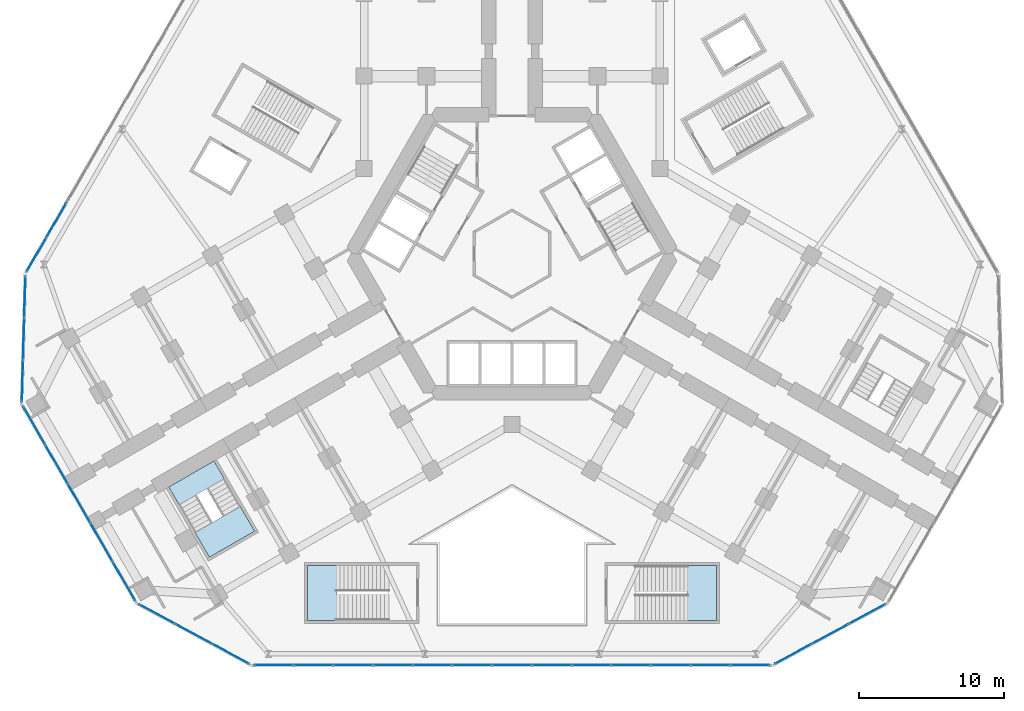
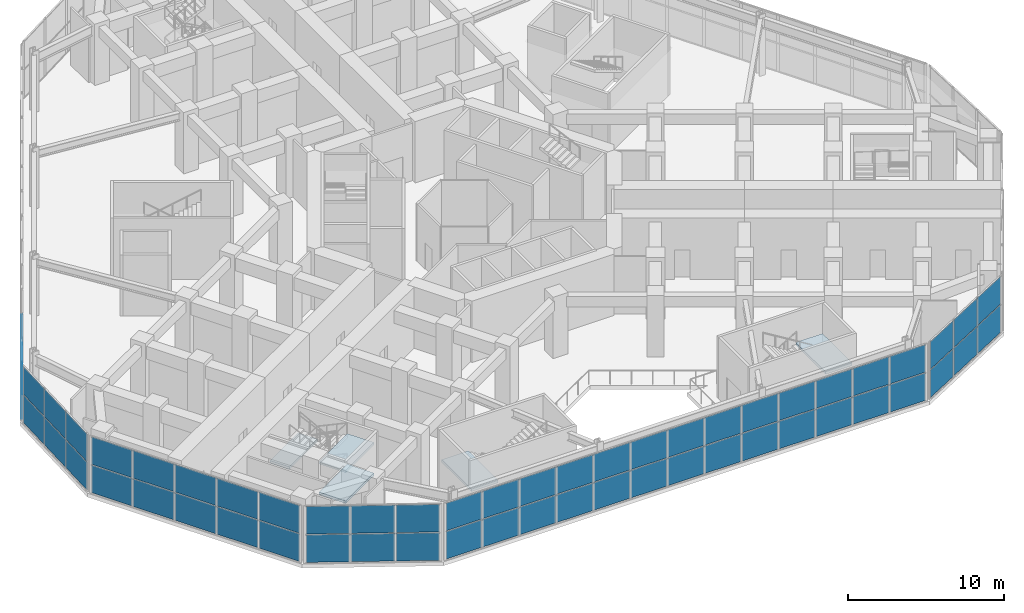
# One storey, part 12 of 22: 58 plates, 5 slabs, 9 elements without a shape of their own.
"""IFC4 building model written with IfcOpenShell, lengths in metres."""

from ifc_helpers import new_model, si_unit, direction, frame, origin, origin_2d, place, context, subcontext, project, spatial, polyline, rectangle, outline, extrude, material, layer, layer_set, type_object, element, aggregate, save


model = new_model("IFC4")

# Units and contexts
model_context = context("Model", 3, precision=1e-05, world=origin(), true_north=direction((0.0, 1.0)))
body_context = subcontext(model_context, "Body", "Model", "MODEL_VIEW")
ifc_project = project(units=[si_unit("LENGTHUNIT", "METRE"), si_unit("AREAUNIT", "SQUARE_METRE"), si_unit("VOLUMEUNIT", "CUBIC_METRE"), si_unit("PLANEANGLEUNIT", "RADIAN"), si_unit("MASSUNIT", "GRAM", prefix="KILO")], contexts=[model_context])

# Site, building, storey
site_placement = place(None, origin())
site = spatial("IfcSite", under=ifc_project, at=site_placement, CompositionType="ELEMENT")
building_placement = place(site_placement, origin())
building = spatial("IfcBuilding", under=site, at=building_placement, Name="Kosmar Iwan School Tower", CompositionType="ELEMENT")
storey_placement = place(building_placement, frame((0.0, 0.0, 10.800048828125)))
storey = spatial("IfcBuildingStorey", under=building, at=storey_placement, Name="L02", CompositionType="ELEMENT", Elevation=10.800048828125)

# Curtain wall, plates
ifc_material_1 = material(Name="Dark glass in black aluminium frame", Category="aluminium")
curtain_wall_type_1 = type_object("IfcCurtainWallType", Name="Podium curtain wall", PredefinedType="USERDEFINED", material=ifc_material_1)
curtain_wall_1_placement = place(storey_placement, origin())
curtain_wall_1 = element("IfcCurtainWall", 1, at=curtain_wall_1_placement, inside=storey, type_object=curtain_wall_type_1, Name="Curtain wall L02-F00", ObjectType="STICK CURTAIN WALL", PredefinedType="USERDEFINED")
ifc_material_2 = material(Name="Dark glass", Category="glass")
ifc_layer_1 = layer(ifc_material_2, 0.028076171875)
ifc_layer_set_1 = layer_set([ifc_layer_1], Name="Dark glass panel 28")
plate_type = type_object("IfcPlateType", Name="Dark glass panel 28", PredefinedType="CURTAIN_PANEL", material=ifc_layer_set_1)
plate_1_placement = place(storey_placement, frame((-16.431396484375, -28.375, 0.06005859375), z_axis=(0.0, 0.0, 1.0), x_axis=(1.0, 0.0, 0.0)))
plate_1 = element("IfcPlate", 2, at=plate_1_placement, type_object=plate_type, Name="CW3 panel 1.1", PredefinedType="CURTAIN_PANEL", context=body_context, shape_type="SweptSolid", body=[
    extrude(rectangle(XDim=2.643798828125, YDim=0.028076171875, at=origin_2d()), origin(), (0.0, 0.0, 1.0), 2.159912109375),
])
plate_2_placement = place(storey_placement, frame((-16.431396484375, -28.375, 2.27978515625), z_axis=(0.0, 0.0, 1.0), x_axis=(1.0, 0.0, 0.0)))
plate_2 = element("IfcPlate", 3, at=plate_2_placement, type_object=plate_type, Name="CW3 panel 1.2", PredefinedType="CURTAIN_PANEL", context=body_context, shape_type="SweptSolid", body=[
    extrude(rectangle(XDim=2.643798828125, YDim=0.028076171875, at=origin_2d()), origin(), (0.0, 0.0, 1.0), 2.159912109375),
])
plate_3_placement = place(storey_placement, frame((-13.70654296875, -28.375, 0.06005859375), z_axis=(0.0, 0.0, 1.0), x_axis=(1.0, 0.0, 0.0)))
plate_3 = element("IfcPlate", 4, at=plate_3_placement, type_object=plate_type, Name="CW3 panel 2.1", PredefinedType="CURTAIN_PANEL", context=body_context, shape_type="SweptSolid", body=[
    extrude(rectangle(XDim=2.67626953125, YDim=0.028076171875, at=origin_2d()), origin(), (0.0, 0.0, 1.0), 2.159912109375),
])
plate_4_placement = place(storey_placement, frame((-13.70654296875, -28.375, 2.27978515625), z_axis=(0.0, 0.0, 1.0), x_axis=(1.0, 0.0, 0.0)))
plate_4 = element("IfcPlate", 5, at=plate_4_placement, type_object=plate_type, Name="CW3 panel 2.2", PredefinedType="CURTAIN_PANEL", context=body_context, shape_type="SweptSolid", body=[
    extrude(rectangle(XDim=2.67626953125, YDim=0.028076171875, at=origin_2d()), origin(), (0.0, 0.0, 1.0), 2.159912109375),
])
plate_5_placement = place(storey_placement, frame((-10.965087890625, -28.375, 0.06005859375), z_axis=(0.0, 0.0, 1.0), x_axis=(1.0, 0.0, 0.0)))
plate_5 = element("IfcPlate", 6, at=plate_5_placement, type_object=plate_type, Name="CW3 panel 3.1", PredefinedType="CURTAIN_PANEL", context=body_context, shape_type="SweptSolid", body=[
    extrude(rectangle(XDim=2.67626953125, YDim=0.028076171875, at=origin_2d()), origin(), (0.0, 0.0, 1.0), 2.159912109375),
])
plate_6_placement = place(storey_placement, frame((-10.965087890625, -28.375, 2.27978515625), z_axis=(0.0, 0.0, 1.0), x_axis=(1.0, 0.0, 0.0)))
plate_6 = element("IfcPlate", 7, at=plate_6_placement, type_object=plate_type, Name="CW3 panel 3.2", PredefinedType="CURTAIN_PANEL", context=body_context, shape_type="SweptSolid", body=[
    extrude(rectangle(XDim=2.67626953125, YDim=0.028076171875, at=origin_2d()), origin(), (0.0, 0.0, 1.0), 2.159912109375),
])
plate_7_placement = place(storey_placement, frame((-8.223876953125, -28.375, 0.06005859375), z_axis=(0.0, 0.0, 1.0), x_axis=(1.0, 0.0, 0.0)))
plate_7 = element("IfcPlate", 8, at=plate_7_placement, type_object=plate_type, Name="CW3 panel 4.1", PredefinedType="CURTAIN_PANEL", context=body_context, shape_type="SweptSolid", body=[
    extrude(rectangle(XDim=2.67626953125, YDim=0.028076171875, at=origin_2d()), origin(), (0.0, 0.0, 1.0), 2.159912109375),
])
plate_8_placement = place(storey_placement, frame((-8.223876953125, -28.375, 2.27978515625), z_axis=(0.0, 0.0, 1.0), x_axis=(1.0, 0.0, 0.0)))
plate_8 = element("IfcPlate", 9, at=plate_8_placement, type_object=plate_type, Name="CW3 panel 4.2", PredefinedType="CURTAIN_PANEL", context=body_context, shape_type="SweptSolid", body=[
    extrude(rectangle(XDim=2.67626953125, YDim=0.028076171875, at=origin_2d()), origin(), (0.0, 0.0, 1.0), 2.159912109375),
])
plate_9_placement = place(storey_placement, frame((-5.482666015625, -28.375, 0.06005859375), z_axis=(0.0, 0.0, 1.0), x_axis=(1.0, 0.0, 0.0)))
plate_9 = element("IfcPlate", 10, at=plate_9_placement, type_object=plate_type, Name="CW3 panel 5.1", PredefinedType="CURTAIN_PANEL", context=body_context, shape_type="SweptSolid", body=[
    extrude(rectangle(XDim=2.67626953125, YDim=0.028076171875, at=origin_2d()), origin(), (0.0, 0.0, 1.0), 2.159912109375),
])
plate_10_placement = place(storey_placement, frame((-5.482666015625, -28.375, 2.27978515625), z_axis=(0.0, 0.0, 1.0), x_axis=(1.0, 0.0, 0.0)))
plate_10 = element("IfcPlate", 11, at=plate_10_placement, type_object=plate_type, Name="CW3 panel 5.2", PredefinedType="CURTAIN_PANEL", context=body_context, shape_type="SweptSolid", body=[
    extrude(rectangle(XDim=2.67626953125, YDim=0.028076171875, at=origin_2d()), origin(), (0.0, 0.0, 1.0), 2.159912109375),
])
plate_11_placement = place(storey_placement, frame((-2.7412109375, -28.375, 0.06005859375), z_axis=(0.0, 0.0, 1.0), x_axis=(1.0, 0.0, 0.0)))
plate_11 = element("IfcPlate", 12, at=plate_11_placement, type_object=plate_type, Name="CW3 panel 6.1", PredefinedType="CURTAIN_PANEL", context=body_context, shape_type="SweptSolid", body=[
    extrude(rectangle(XDim=2.67626953125, YDim=0.028076171875, at=origin_2d()), origin(), (0.0, 0.0, 1.0), 2.159912109375),
])
plate_12_placement = place(storey_placement, frame((-2.7412109375, -28.375, 2.27978515625), z_axis=(0.0, 0.0, 1.0), x_axis=(1.0, 0.0, 0.0)))
plate_12 = element("IfcPlate", 13, at=plate_12_placement, type_object=plate_type, Name="CW3 panel 6.2", PredefinedType="CURTAIN_PANEL", context=body_context, shape_type="SweptSolid", body=[
    extrude(rectangle(XDim=2.67626953125, YDim=0.028076171875, at=origin_2d()), origin(), (0.0, 0.0, 1.0), 2.159912109375),
])
plate_13_placement = place(storey_placement, frame((0.0, -28.375, 0.06005859375), z_axis=(0.0, 0.0, 1.0), x_axis=(1.0, 0.0, 0.0)))
plate_13 = element("IfcPlate", 14, at=plate_13_placement, type_object=plate_type, Name="CW3 panel 7.1", PredefinedType="CURTAIN_PANEL", context=body_context, shape_type="SweptSolid", body=[
    extrude(rectangle(XDim=2.67626953125, YDim=0.028076171875, at=origin_2d()), origin(), (0.0, 0.0, 1.0), 2.159912109375),
])
plate_14_placement = place(storey_placement, frame((0.0, -28.375, 2.27978515625), z_axis=(0.0, 0.0, 1.0), x_axis=(1.0, 0.0, 0.0)))
plate_14 = element("IfcPlate", 15, at=plate_14_placement, type_object=plate_type, Name="CW3 panel 7.2", PredefinedType="CURTAIN_PANEL", context=body_context, shape_type="SweptSolid", body=[
    extrude(rectangle(XDim=2.67626953125, YDim=0.028076171875, at=origin_2d()), origin(), (0.0, 0.0, 1.0), 2.159912109375),
])
plate_15_placement = place(storey_placement, frame((2.7412109375, -28.375, 0.06005859375), z_axis=(0.0, 0.0, 1.0), x_axis=(1.0, 0.0, 0.0)))
plate_15 = element("IfcPlate", 16, at=plate_15_placement, type_object=plate_type, Name="CW3 panel 8.1", PredefinedType="CURTAIN_PANEL", context=body_context, shape_type="SweptSolid", body=[
    extrude(rectangle(XDim=2.67626953125, YDim=0.028076171875, at=origin_2d()), origin(), (0.0, 0.0, 1.0), 2.159912109375),
])
plate_16_placement = place(storey_placement, frame((2.7412109375, -28.375, 2.27978515625), z_axis=(0.0, 0.0, 1.0), x_axis=(1.0, 0.0, 0.0)))
plate_16 = element("IfcPlate", 17, at=plate_16_placement, type_object=plate_type, Name="CW3 panel 8.2", PredefinedType="CURTAIN_PANEL", context=body_context, shape_type="SweptSolid", body=[
    extrude(rectangle(XDim=2.67626953125, YDim=0.028076171875, at=origin_2d()), origin(), (0.0, 0.0, 1.0), 2.159912109375),
])
plate_17_placement = place(storey_placement, frame((5.482666015625, -28.375, 0.06005859375), z_axis=(0.0, 0.0, 1.0), x_axis=(1.0, 0.0, 0.0)))
plate_17 = element("IfcPlate", 18, at=plate_17_placement, type_object=plate_type, Name="CW3 panel 9.1", PredefinedType="CURTAIN_PANEL", context=body_context, shape_type="SweptSolid", body=[
    extrude(rectangle(XDim=2.67626953125, YDim=0.028076171875, at=origin_2d()), origin(), (0.0, 0.0, 1.0), 2.159912109375),
])
plate_18_placement = place(storey_placement, frame((5.482666015625, -28.375, 2.27978515625), z_axis=(0.0, 0.0, 1.0), x_axis=(1.0, 0.0, 0.0)))
plate_18 = element("IfcPlate", 19, at=plate_18_placement, type_object=plate_type, Name="CW3 panel 9.2", PredefinedType="CURTAIN_PANEL", context=body_context, shape_type="SweptSolid", body=[
    extrude(rectangle(XDim=2.67626953125, YDim=0.028076171875, at=origin_2d()), origin(), (0.0, 0.0, 1.0), 2.159912109375),
])
plate_19_placement = place(storey_placement, frame((8.223876953125, -28.375, 0.06005859375), z_axis=(0.0, 0.0, 1.0), x_axis=(1.0, 0.0, 0.0)))
plate_19 = element("IfcPlate", 20, at=plate_19_placement, type_object=plate_type, Name="CW3 panel 10.1", PredefinedType="CURTAIN_PANEL", context=body_context, shape_type="SweptSolid", body=[
    extrude(rectangle(XDim=2.67626953125, YDim=0.028076171875, at=origin_2d()), origin(), (0.0, 0.0, 1.0), 2.159912109375),
])
plate_20_placement = place(storey_placement, frame((8.223876953125, -28.375, 2.27978515625), z_axis=(0.0, 0.0, 1.0), x_axis=(1.0, 0.0, 0.0)))
plate_20 = element("IfcPlate", 21, at=plate_20_placement, type_object=plate_type, Name="CW3 panel 10.2", PredefinedType="CURTAIN_PANEL", context=body_context, shape_type="SweptSolid", body=[
    extrude(rectangle(XDim=2.67626953125, YDim=0.028076171875, at=origin_2d()), origin(), (0.0, 0.0, 1.0), 2.159912109375),
])
plate_21_placement = place(storey_placement, frame((10.965087890625, -28.375, 0.06005859375), z_axis=(0.0, 0.0, 1.0), x_axis=(1.0, 0.0, 0.0)))
plate_21 = element("IfcPlate", 22, at=plate_21_placement, type_object=plate_type, Name="CW3 panel 11.1", PredefinedType="CURTAIN_PANEL", context=body_context, shape_type="SweptSolid", body=[
    extrude(rectangle(XDim=2.67626953125, YDim=0.028076171875, at=origin_2d()), origin(), (0.0, 0.0, 1.0), 2.159912109375),
])
plate_22_placement = place(storey_placement, frame((10.965087890625, -28.375, 2.27978515625), z_axis=(0.0, 0.0, 1.0), x_axis=(1.0, 0.0, 0.0)))
plate_22 = element("IfcPlate", 23, at=plate_22_placement, type_object=plate_type, Name="CW3 panel 11.2", PredefinedType="CURTAIN_PANEL", context=body_context, shape_type="SweptSolid", body=[
    extrude(rectangle(XDim=2.67626953125, YDim=0.028076171875, at=origin_2d()), origin(), (0.0, 0.0, 1.0), 2.159912109375),
])
plate_23_placement = place(storey_placement, frame((13.70654296875, -28.375, 0.06005859375), z_axis=(0.0, 0.0, 1.0), x_axis=(1.0, 0.0, 0.0)))
plate_23 = element("IfcPlate", 24, at=plate_23_placement, type_object=plate_type, Name="CW3 panel 12.1", PredefinedType="CURTAIN_PANEL", context=body_context, shape_type="SweptSolid", body=[
    extrude(rectangle(XDim=2.67626953125, YDim=0.028076171875, at=origin_2d()), origin(), (0.0, 0.0, 1.0), 2.159912109375),
])
plate_24_placement = place(storey_placement, frame((13.70654296875, -28.375, 2.27978515625), z_axis=(0.0, 0.0, 1.0), x_axis=(1.0, 0.0, 0.0)))
plate_24 = element("IfcPlate", 25, at=plate_24_placement, type_object=plate_type, Name="CW3 panel 12.2", PredefinedType="CURTAIN_PANEL", context=body_context, shape_type="SweptSolid", body=[
    extrude(rectangle(XDim=2.67626953125, YDim=0.028076171875, at=origin_2d()), origin(), (0.0, 0.0, 1.0), 2.159912109375),
])
plate_25_placement = place(storey_placement, frame((16.431396484375, -28.375, 0.06005859375), z_axis=(0.0, 0.0, 1.0), x_axis=(1.0, 0.0, 0.0)))
plate_25 = element("IfcPlate", 26, at=plate_25_placement, type_object=plate_type, Name="CW3 panel 13.1", PredefinedType="CURTAIN_PANEL", context=body_context, shape_type="SweptSolid", body=[
    extrude(rectangle(XDim=2.643798828125, YDim=0.028076171875, at=origin_2d()), origin(), (0.0, 0.0, 1.0), 2.159912109375),
])
plate_26_placement = place(storey_placement, frame((16.431396484375, -28.375, 2.27978515625), z_axis=(0.0, 0.0, 1.0), x_axis=(1.0, 0.0, 0.0)))
plate_26 = element("IfcPlate", 27, at=plate_26_placement, type_object=plate_type, Name="CW3 panel 13.2", PredefinedType="CURTAIN_PANEL", context=body_context, shape_type="SweptSolid", body=[
    extrude(rectangle(XDim=2.643798828125, YDim=0.028076171875, at=origin_2d()), origin(), (0.0, 0.0, 1.0), 2.159912109375),
])
aggregate(curtain_wall_1, [plate_1, plate_2, plate_3, plate_4, plate_5, plate_6, plate_7, plate_8, plate_9, plate_10, plate_11, plate_12, plate_13, plate_14, plate_15, plate_16, plate_17, plate_18, plate_19, plate_20, plate_21, plate_22, plate_23, plate_24, plate_25, plate_26])

curtain_wall_2_placement = place(storey_placement, origin())
curtain_wall_2 = element("IfcCurtainWall", 28, at=curtain_wall_2_placement, inside=storey, type_object=curtain_wall_type_1, Name="Curtain wall L02-F01", ObjectType="STICK CURTAIN WALL", PredefinedType="USERDEFINED")
plate_27_placement = place(storey_placement, frame((19.392333984375, -27.60595703125, 0.06005859375), z_axis=(0.0, 0.0, 1.0), x_axis=(0.879869486941, 0.475215410051, 0.0)))
plate_27 = element("IfcPlate", 29, at=plate_27_placement, type_object=plate_type, Name="CW3 panel 1.1", PredefinedType="CURTAIN_PANEL", context=body_context, shape_type="SweptSolid", body=[
    extrude(rectangle(XDim=2.806884765625, YDim=0.028076171875, at=origin_2d()), origin(), (0.0, 0.0, 1.0), 2.159912109375),
])
plate_28_placement = place(storey_placement, frame((19.392333984375, -27.60595703125, 2.27978515625), z_axis=(0.0, 0.0, 1.0), x_axis=(0.879869486941, 0.475215410051, 0.0)))
plate_28 = element("IfcPlate", 30, at=plate_28_placement, type_object=plate_type, Name="CW3 panel 1.2", PredefinedType="CURTAIN_PANEL", context=body_context, shape_type="SweptSolid", body=[
    extrude(rectangle(XDim=2.806884765625, YDim=0.028076171875, at=origin_2d()), origin(), (0.0, 0.0, 1.0), 2.159912109375),
])
plate_29_placement = place(storey_placement, frame((21.93359375, -26.2333984375, 0.06005859375), z_axis=(0.0, 0.0, 1.0), x_axis=(0.879869486941, 0.475215410051, 0.0)))
plate_29 = element("IfcPlate", 31, at=plate_29_placement, type_object=plate_type, Name="CW3 panel 2.1", PredefinedType="CURTAIN_PANEL", context=body_context, shape_type="SweptSolid", body=[
    extrude(rectangle(XDim=2.83935546875, YDim=0.028076171875, at=origin_2d()), origin(), (0.0, 0.0, 1.0), 2.159912109375),
])
plate_30_placement = place(storey_placement, frame((21.93359375, -26.2333984375, 2.27978515625), z_axis=(0.0, 0.0, 1.0), x_axis=(0.879869486941, 0.475215410051, 0.0)))
plate_30 = element("IfcPlate", 32, at=plate_30_placement, type_object=plate_type, Name="CW3 panel 2.2", PredefinedType="CURTAIN_PANEL", context=body_context, shape_type="SweptSolid", body=[
    extrude(rectangle(XDim=2.83935546875, YDim=0.028076171875, at=origin_2d()), origin(), (0.0, 0.0, 1.0), 2.159912109375),
])
plate_31_placement = place(storey_placement, frame((24.474853515625, -24.86083984375, 0.06005859375), z_axis=(0.0, 0.0, 1.0), x_axis=(0.879869486941, 0.475215410051, 0.0)))
plate_31 = element("IfcPlate", 33, at=plate_31_placement, type_object=plate_type, Name="CW3 panel 3.1", PredefinedType="CURTAIN_PANEL", context=body_context, shape_type="SweptSolid", body=[
    extrude(rectangle(XDim=2.806884765625, YDim=0.028076171875, at=origin_2d()), origin(), (0.0, 0.0, 1.0), 2.159912109375),
])
plate_32_placement = place(storey_placement, frame((24.474853515625, -24.86083984375, 2.27978515625), z_axis=(0.0, 0.0, 1.0), x_axis=(0.879869486941, 0.475215410051, 0.0)))
plate_32 = element("IfcPlate", 34, at=plate_32_placement, type_object=plate_type, Name="CW3 panel 3.2", PredefinedType="CURTAIN_PANEL", context=body_context, shape_type="SweptSolid", body=[
    extrude(rectangle(XDim=2.806884765625, YDim=0.028076171875, at=origin_2d()), origin(), (0.0, 0.0, 1.0), 2.159912109375),
])
aggregate(curtain_wall_2, [plate_27, plate_28, plate_29, plate_30, plate_31, plate_32])

curtain_wall_3_placement = place(storey_placement, origin())
curtain_wall_3 = element("IfcCurtainWall", 35, at=curtain_wall_3_placement, inside=storey, type_object=curtain_wall_type_1, Name="Curtain wall L02-F08", ObjectType="STICK CURTAIN WALL", PredefinedType="USERDEFINED")
plate_33_placement = place(storey_placement, frame((-31.4267578125, 2.3173828125, 0.06005859375), z_axis=(0.0, 0.0, 1.0), x_axis=(-0.50000002237, -0.866025390869, 0.0)))
plate_33 = element("IfcPlate", 36, at=plate_33_placement, type_object=plate_type, Name="CW3 panel 12.1", PredefinedType="CURTAIN_PANEL", context=body_context, shape_type="SweptSolid", body=[
    extrude(rectangle(XDim=2.67626953125, YDim=0.028076171875, at=origin_2d()), origin(), (0.0, 0.0, 1.0), 2.159912109375),
])
plate_34_placement = place(storey_placement, frame((-31.4267578125, 2.3173828125, 2.27978515625), z_axis=(0.0, 0.0, 1.0), x_axis=(-0.50000002237, -0.866025390869, 0.0)))
plate_34 = element("IfcPlate", 37, at=plate_34_placement, type_object=plate_type, Name="CW3 panel 12.2", PredefinedType="CURTAIN_PANEL", context=body_context, shape_type="SweptSolid", body=[
    extrude(rectangle(XDim=2.67626953125, YDim=0.028076171875, at=origin_2d()), origin(), (0.0, 0.0, 1.0), 2.159912109375),
])
plate_35_placement = place(storey_placement, frame((-32.789306640625, -0.04248046875, 0.06005859375), z_axis=(0.0, 0.0, 1.0), x_axis=(-0.50000002237, -0.866025390869, 0.0)))
plate_35 = element("IfcPlate", 38, at=plate_35_placement, type_object=plate_type, Name="CW3 panel 13.1", PredefinedType="CURTAIN_PANEL", context=body_context, shape_type="SweptSolid", body=[
    extrude(rectangle(XDim=2.643798828125, YDim=0.028076171875, at=origin_2d()), origin(), (0.0, 0.0, 1.0), 2.159912109375),
])
plate_36_placement = place(storey_placement, frame((-32.789306640625, -0.04248046875, 2.27978515625), z_axis=(0.0, 0.0, 1.0), x_axis=(-0.50000002237, -0.866025390869, 0.0)))
plate_36 = element("IfcPlate", 39, at=plate_36_placement, type_object=plate_type, Name="CW3 panel 13.2", PredefinedType="CURTAIN_PANEL", context=body_context, shape_type="SweptSolid", body=[
    extrude(rectangle(XDim=2.643798828125, YDim=0.028076171875, at=origin_2d()), origin(), (0.0, 0.0, 1.0), 2.159912109375),
])
aggregate(curtain_wall_3, [plate_33, plate_34, plate_35, plate_36])

curtain_wall_4_placement = place(storey_placement, origin())
curtain_wall_4 = element("IfcCurtainWall", 40, at=curtain_wall_4_placement, inside=storey, type_object=curtain_wall_type_1, Name="Curtain wall L02-F09", ObjectType="STICK CURTAIN WALL", PredefinedType="USERDEFINED")
plate_37_placement = place(storey_placement, frame((-33.603515625, -2.991455078125, 0.06005859375), z_axis=(0.0, 0.0, 1.0), x_axis=(-0.028386151255, -0.999597032017, 0.0)))
plate_37 = element("IfcPlate", 41, at=plate_37_placement, type_object=plate_type, Name="CW3 panel 1.1", PredefinedType="CURTAIN_PANEL", context=body_context, shape_type="SweptSolid", body=[
    extrude(rectangle(XDim=2.806884765625, YDim=0.028076171875, at=origin_2d()), origin(), (0.0, 0.0, 1.0), 2.159912109375),
])
plate_38_placement = place(storey_placement, frame((-33.603515625, -2.991455078125, 2.27978515625), z_axis=(0.0, 0.0, 1.0), x_axis=(-0.028386151255, -0.999597032017, 0.0)))
plate_38 = element("IfcPlate", 42, at=plate_38_placement, type_object=plate_type, Name="CW3 panel 1.2", PredefinedType="CURTAIN_PANEL", context=body_context, shape_type="SweptSolid", body=[
    extrude(rectangle(XDim=2.806884765625, YDim=0.028076171875, at=origin_2d()), origin(), (0.0, 0.0, 1.0), 2.159912109375),
])
plate_39_placement = place(storey_placement, frame((-33.685546875, -5.87841796875, 0.06005859375), z_axis=(0.0, 0.0, 1.0), x_axis=(-0.028386151255, -0.999597032017, 0.0)))
plate_39 = element("IfcPlate", 43, at=plate_39_placement, type_object=plate_type, Name="CW3 panel 2.1", PredefinedType="CURTAIN_PANEL", context=body_context, shape_type="SweptSolid", body=[
    extrude(rectangle(XDim=2.83935546875, YDim=0.028076171875, at=origin_2d()), origin(), (0.0, 0.0, 1.0), 2.159912109375),
])
plate_40_placement = place(storey_placement, frame((-33.685546875, -5.87841796875, 2.27978515625), z_axis=(0.0, 0.0, 1.0), x_axis=(-0.028386151255, -0.999597032017, 0.0)))
plate_40 = element("IfcPlate", 44, at=plate_40_placement, type_object=plate_type, Name="CW3 panel 2.2", PredefinedType="CURTAIN_PANEL", context=body_context, shape_type="SweptSolid", body=[
    extrude(rectangle(XDim=2.83935546875, YDim=0.028076171875, at=origin_2d()), origin(), (0.0, 0.0, 1.0), 2.159912109375),
])
plate_41_placement = place(storey_placement, frame((-33.767578125, -8.765380859375, 0.06005859375), z_axis=(0.0, 0.0, 1.0), x_axis=(-0.028386151255, -0.999597032017, 0.0)))
plate_41 = element("IfcPlate", 45, at=plate_41_placement, type_object=plate_type, Name="CW3 panel 3.1", PredefinedType="CURTAIN_PANEL", context=body_context, shape_type="SweptSolid", body=[
    extrude(rectangle(XDim=2.806884765625, YDim=0.028076171875, at=origin_2d()), origin(), (0.0, 0.0, 1.0), 2.159912109375),
])
plate_42_placement = place(storey_placement, frame((-33.767578125, -8.765380859375, 2.27978515625), z_axis=(0.0, 0.0, 1.0), x_axis=(-0.028386151255, -0.999597032017, 0.0)))
plate_42 = element("IfcPlate", 46, at=plate_42_placement, type_object=plate_type, Name="CW3 panel 3.2", PredefinedType="CURTAIN_PANEL", context=body_context, shape_type="SweptSolid", body=[
    extrude(rectangle(XDim=2.806884765625, YDim=0.028076171875, at=origin_2d()), origin(), (0.0, 0.0, 1.0), 2.159912109375),
])
aggregate(curtain_wall_4, [plate_37, plate_38, plate_39, plate_40, plate_41, plate_42])

ifc_material_3 = material(Name="Dark glass in black aluminium frame", Category="aluminium")
curtain_wall_type_2 = type_object("IfcCurtainWallType", Name="Tower curtain wall dark glass", PredefinedType="USERDEFINED", material=ifc_material_3)
curtain_wall_5_placement = place(storey_placement, origin())
curtain_wall_5 = element("IfcCurtainWall", 47, at=curtain_wall_5_placement, inside=storey, type_object=curtain_wall_type_2, Name="Curtain wall L02-F10", ObjectType="UNITISED CURTAIN WALL", PredefinedType="USERDEFINED")
plate_43_placement = place(storey_placement, frame((-32.953857421875, -11.8720703125, 0.06005859375), z_axis=(0.0, 0.0, 1.0), x_axis=(0.500000014057, -0.866025395669, 0.0)))
plate_43 = element("IfcPlate", 48, at=plate_43_placement, type_object=plate_type, Name="CW1 panel 1.1", PredefinedType="CURTAIN_PANEL", context=body_context, shape_type="SweptSolid", body=[
    extrude(rectangle(XDim=3.00830078125, YDim=0.028076171875, at=origin_2d()), origin(), (0.0, 0.0, 1.0), 2.159912109375),
])
plate_44_placement = place(storey_placement, frame((-32.953857421875, -11.8720703125, 2.27978515625), z_axis=(0.0, 0.0, 1.0), x_axis=(0.500000014057, -0.866025395669, 0.0)))
plate_44 = element("IfcPlate", 49, at=plate_44_placement, type_object=plate_type, Name="CW1 panel 1.2", PredefinedType="CURTAIN_PANEL", context=body_context, shape_type="SweptSolid", body=[
    extrude(rectangle(XDim=3.00830078125, YDim=0.028076171875, at=origin_2d()), origin(), (0.0, 0.0, 1.0), 2.159912109375),
])
plate_45_placement = place(storey_placement, frame((-31.4091796875, -14.5478515625, 0.06005859375), z_axis=(0.0, 0.0, 1.0), x_axis=(0.500000014057, -0.866025395669, 0.0)))
plate_45 = element("IfcPlate", 50, at=plate_45_placement, type_object=plate_type, Name="CW1 panel 2.1", PredefinedType="CURTAIN_PANEL", context=body_context, shape_type="SweptSolid", body=[
    extrude(rectangle(XDim=3.040771484375, YDim=0.028076171875, at=origin_2d()), origin(), (0.0, 0.0, 1.0), 2.159912109375),
])
plate_46_placement = place(storey_placement, frame((-31.4091796875, -14.5478515625, 2.27978515625), z_axis=(0.0, 0.0, 1.0), x_axis=(0.500000014057, -0.866025395669, 0.0)))
plate_46 = element("IfcPlate", 51, at=plate_46_placement, type_object=plate_type, Name="CW1 panel 2.2", PredefinedType="CURTAIN_PANEL", context=body_context, shape_type="SweptSolid", body=[
    extrude(rectangle(XDim=3.040771484375, YDim=0.028076171875, at=origin_2d()), origin(), (0.0, 0.0, 1.0), 2.159912109375),
])
plate_47_placement = place(storey_placement, frame((-29.856201171875, -17.237548828125, 0.06005859375), z_axis=(0.0, 0.0, 1.0), x_axis=(0.500000014057, -0.866025395669, 0.0)))
plate_47 = element("IfcPlate", 52, at=plate_47_placement, type_object=plate_type, Name="CW1 panel 3.1", PredefinedType="CURTAIN_PANEL", context=body_context, shape_type="SweptSolid", body=[
    extrude(rectangle(XDim=3.040771484375, YDim=0.028076171875, at=origin_2d()), origin(), (0.0, 0.0, 1.0), 2.159912109375),
])
plate_48_placement = place(storey_placement, frame((-29.856201171875, -17.237548828125, 2.27978515625), z_axis=(0.0, 0.0, 1.0), x_axis=(0.500000014057, -0.866025395669, 0.0)))
plate_48 = element("IfcPlate", 53, at=plate_48_placement, type_object=plate_type, Name="CW1 panel 3.2", PredefinedType="CURTAIN_PANEL", context=body_context, shape_type="SweptSolid", body=[
    extrude(rectangle(XDim=3.040771484375, YDim=0.028076171875, at=origin_2d()), origin(), (0.0, 0.0, 1.0), 2.159912109375),
])
plate_49_placement = place(storey_placement, frame((-28.30322265625, -19.92724609375, 0.06005859375), z_axis=(0.0, 0.0, 1.0), x_axis=(0.500000014057, -0.866025395669, 0.0)))
plate_49 = element("IfcPlate", 54, at=plate_49_placement, type_object=plate_type, Name="CW1 panel 4.1", PredefinedType="CURTAIN_PANEL", context=body_context, shape_type="SweptSolid", body=[
    extrude(rectangle(XDim=3.040771484375, YDim=0.028076171875, at=origin_2d()), origin(), (0.0, 0.0, 1.0), 2.159912109375),
])
plate_50_placement = place(storey_placement, frame((-28.30322265625, -19.92724609375, 2.27978515625), z_axis=(0.0, 0.0, 1.0), x_axis=(0.500000014057, -0.866025395669, 0.0)))
plate_50 = element("IfcPlate", 55, at=plate_50_placement, type_object=plate_type, Name="CW1 panel 4.2", PredefinedType="CURTAIN_PANEL", context=body_context, shape_type="SweptSolid", body=[
    extrude(rectangle(XDim=3.040771484375, YDim=0.028076171875, at=origin_2d()), origin(), (0.0, 0.0, 1.0), 2.159912109375),
])
plate_51_placement = place(storey_placement, frame((-26.758544921875, -22.602783203125, 0.06005859375), z_axis=(0.0, 0.0, 1.0), x_axis=(0.500000014057, -0.866025395669, 0.0)))
plate_51 = element("IfcPlate", 56, at=plate_51_placement, type_object=plate_type, Name="CW1 panel 5.1", PredefinedType="CURTAIN_PANEL", context=body_context, shape_type="SweptSolid", body=[
    extrude(rectangle(XDim=3.00830078125, YDim=0.028076171875, at=origin_2d()), origin(), (0.0, 0.0, 1.0), 2.159912109375),
])
plate_52_placement = place(storey_placement, frame((-26.758544921875, -22.602783203125, 2.27978515625), z_axis=(0.0, 0.0, 1.0), x_axis=(0.500000014057, -0.866025395669, 0.0)))
plate_52 = element("IfcPlate", 57, at=plate_52_placement, type_object=plate_type, Name="CW1 panel 5.2", PredefinedType="CURTAIN_PANEL", context=body_context, shape_type="SweptSolid", body=[
    extrude(rectangle(XDim=3.00830078125, YDim=0.028076171875, at=origin_2d()), origin(), (0.0, 0.0, 1.0), 2.159912109375),
])
aggregate(curtain_wall_5, [plate_43, plate_44, plate_45, plate_46, plate_47, plate_48, plate_49, plate_50, plate_51, plate_52])

curtain_wall_6_placement = place(storey_placement, origin())
curtain_wall_6 = element("IfcCurtainWall", 58, at=curtain_wall_6_placement, inside=storey, type_object=curtain_wall_type_1, Name="Curtain wall L02-F11", ObjectType="STICK CURTAIN WALL", PredefinedType="USERDEFINED")
plate_53_placement = place(storey_placement, frame((-24.474853515625, -24.86083984375, 0.06005859375), z_axis=(0.0, 0.0, 1.0), x_axis=(0.879869486941, -0.475215410051, 0.0)))
plate_53 = element("IfcPlate", 59, at=plate_53_placement, type_object=plate_type, Name="CW3 panel 1.1", PredefinedType="CURTAIN_PANEL", context=body_context, shape_type="SweptSolid", body=[
    extrude(rectangle(XDim=2.806884765625, YDim=0.028076171875, at=origin_2d()), origin(), (0.0, 0.0, 1.0), 2.159912109375),
])
plate_54_placement = place(storey_placement, frame((-24.474853515625, -24.86083984375, 2.27978515625), z_axis=(0.0, 0.0, 1.0), x_axis=(0.879869486941, -0.475215410051, 0.0)))
plate_54 = element("IfcPlate", 60, at=plate_54_placement, type_object=plate_type, Name="CW3 panel 1.2", PredefinedType="CURTAIN_PANEL", context=body_context, shape_type="SweptSolid", body=[
    extrude(rectangle(XDim=2.806884765625, YDim=0.028076171875, at=origin_2d()), origin(), (0.0, 0.0, 1.0), 2.159912109375),
])
plate_55_placement = place(storey_placement, frame((-21.93359375, -26.2333984375, 0.06005859375), z_axis=(0.0, 0.0, 1.0), x_axis=(0.879869486941, -0.475215410051, 0.0)))
plate_55 = element("IfcPlate", 61, at=plate_55_placement, type_object=plate_type, Name="CW3 panel 2.1", PredefinedType="CURTAIN_PANEL", context=body_context, shape_type="SweptSolid", body=[
    extrude(rectangle(XDim=2.83935546875, YDim=0.028076171875, at=origin_2d()), origin(), (0.0, 0.0, 1.0), 2.159912109375),
])
plate_56_placement = place(storey_placement, frame((-21.93359375, -26.2333984375, 2.27978515625), z_axis=(0.0, 0.0, 1.0), x_axis=(0.879869486941, -0.475215410051, 0.0)))
plate_56 = element("IfcPlate", 62, at=plate_56_placement, type_object=plate_type, Name="CW3 panel 2.2", PredefinedType="CURTAIN_PANEL", context=body_context, shape_type="SweptSolid", body=[
    extrude(rectangle(XDim=2.83935546875, YDim=0.028076171875, at=origin_2d()), origin(), (0.0, 0.0, 1.0), 2.159912109375),
])
plate_57_placement = place(storey_placement, frame((-19.392333984375, -27.60595703125, 0.06005859375), z_axis=(0.0, 0.0, 1.0), x_axis=(0.879869486941, -0.475215410051, 0.0)))
plate_57 = element("IfcPlate", 63, at=plate_57_placement, type_object=plate_type, Name="CW3 panel 3.1", PredefinedType="CURTAIN_PANEL", context=body_context, shape_type="SweptSolid", body=[
    extrude(rectangle(XDim=2.806884765625, YDim=0.028076171875, at=origin_2d()), origin(), (0.0, 0.0, 1.0), 2.159912109375),
])
plate_58_placement = place(storey_placement, frame((-19.392333984375, -27.60595703125, 2.27978515625), z_axis=(0.0, 0.0, 1.0), x_axis=(0.879869486941, -0.475215410051, 0.0)))
plate_58 = element("IfcPlate", 64, at=plate_58_placement, type_object=plate_type, Name="CW3 panel 3.2", PredefinedType="CURTAIN_PANEL", context=body_context, shape_type="SweptSolid", body=[
    extrude(rectangle(XDim=2.806884765625, YDim=0.028076171875, at=origin_2d()), origin(), (0.0, 0.0, 1.0), 2.159912109375),
])
aggregate(curtain_wall_6, [plate_53, plate_54, plate_55, plate_56, plate_57, plate_58])

# Stair, slabs
ifc_material_4 = material(Name="Concrete C35/45", Category="concrete")
stair_type_1 = type_object("IfcStairType", Name="Escape stair 3600", PredefinedType="HALF_TURN_STAIR", material=ifc_material_4)
stair_1_placement = place(storey_placement, origin())
stair_1 = element("IfcStair", 65, at=stair_1_placement, inside=storey, type_object=stair_type_1, Name="Stair WS2 L02", PredefinedType="HALF_TURN_STAIR")
ifc_material_5 = material(Name="Concrete C35/45", Category="concrete")
ifc_layer_2 = layer(ifc_material_5, 0.199951171875)
ifc_layer_set_2 = layer_set([ifc_layer_2], Name="Escape stair landing 200")
slab_type_1 = type_object("IfcSlabType", Name="Escape stair landing 200", PredefinedType="LANDING", material=ifc_layer_set_2)
slab_1_placement = place(storey_placement, frame((0.0, 0.0, 1.0)))
slab_1 = element("IfcSlab", 66, at=slab_1_placement, type_object=slab_type_1, Name="WS2 landing 1", PredefinedType="LANDING", context=body_context, shape_type="SweptSolid", body=[
    extrude(outline(polyline([(-18.747314453125, -17.4287109375), (-21.864990234375, -19.228759765625), (-20.875, -20.943359375), (-17.75732421875, -19.143310546875), (-18.747314453125, -17.4287109375)])), origin(), (0.0, 0.0, 1.0), 0.199951171875),
])
slab_2_placement = place(storey_placement, frame((0.0, 0.0, 2.199951171875)))
slab_2 = element("IfcSlab", 67, at=slab_2_placement, type_object=slab_type_1, Name="WS2 landing 2", PredefinedType="LANDING", context=body_context, shape_type="SweptSolid", body=[
    extrude(outline(polyline([(-20.557373046875, -14.293701171875), (-23.675048828125, -16.09375), (-22.965087890625, -17.323486328125), (-19.847412109375, -15.5234375), (-20.557373046875, -14.293701171875)])), origin(), (0.0, 0.0, 1.0), 0.199951171875),
])
slab_3_placement = place(storey_placement, frame((0.0, 0.0, 3.39990234375)))
slab_3 = element("IfcSlab", 68, at=slab_3_placement, type_object=slab_type_1, Name="WS2 landing 3", PredefinedType="LANDING", context=body_context, shape_type="SweptSolid", body=[
    extrude(outline(polyline([(-18.747314453125, -17.4287109375), (-21.864990234375, -19.228759765625), (-20.875, -20.943359375), (-17.75732421875, -19.143310546875), (-18.747314453125, -17.4287109375)])), origin(), (0.0, 0.0, 1.0), 0.199951171875),
])
aggregate(stair_1, [slab_1, slab_2, slab_3])

# Stair, slab
ifc_material_6 = material(Name="Concrete C35/45", Category="concrete")
stair_type_2 = type_object("IfcStairType", Name="School stair 3800", PredefinedType="HALF_TURN_STAIR", material=ifc_material_6)
stair_2_placement = place(storey_placement, origin())
stair_2 = element("IfcStair", 69, at=stair_2_placement, inside=storey, type_object=stair_type_2, Name="School stair SS1 L02", PredefinedType="HALF_TURN_STAIR")
ifc_material_7 = material(Name="Concrete C35/45", Category="concrete")
ifc_layer_3 = layer(ifc_material_7, 0.199951171875)
ifc_layer_set_3 = layer_set([ifc_layer_3], Name="Stair landing 200")
slab_type_2 = type_object("IfcSlabType", Name="Stair landing 200", PredefinedType="LANDING", material=ifc_layer_set_3)
slab_4_placement = place(storey_placement, frame((0.0, 0.0, 2.199951171875)))
slab_4 = element("IfcSlab", 70, at=slab_4_placement, type_object=slab_type_2, Name="SS1 landing 1", PredefinedType="LANDING", context=body_context, shape_type="SweptSolid", body=[
    extrude(outline(polyline([(-14.10009765625, -21.5), (-14.10009765625, -25.300048828125), (-12.1201171875, -25.300048828125), (-12.1201171875, -21.5), (-14.10009765625, -21.5)])), origin(), (0.0, 0.0, 1.0), 0.199951171875),
])
aggregate(stair_2, [slab_4])

stair_3_placement = place(storey_placement, origin())
stair_3 = element("IfcStair", 71, at=stair_3_placement, inside=storey, type_object=stair_type_2, Name="School stair SS2 L02", PredefinedType="HALF_TURN_STAIR")
slab_5_placement = place(storey_placement, frame((0.0, 0.0, 2.199951171875)))
slab_5 = element("IfcSlab", 72, at=slab_5_placement, type_object=slab_type_2, Name="SS2 landing 1", PredefinedType="LANDING", context=body_context, shape_type="SweptSolid", body=[
    extrude(outline(polyline([(12.1201171875, -21.5), (12.1201171875, -25.300048828125), (14.10009765625, -25.300048828125), (14.10009765625, -21.5), (12.1201171875, -21.5)])), origin(), (0.0, 0.0, 1.0), 0.199951171875),
])
aggregate(stair_3, [slab_5])

save(model, "model.ifc")
